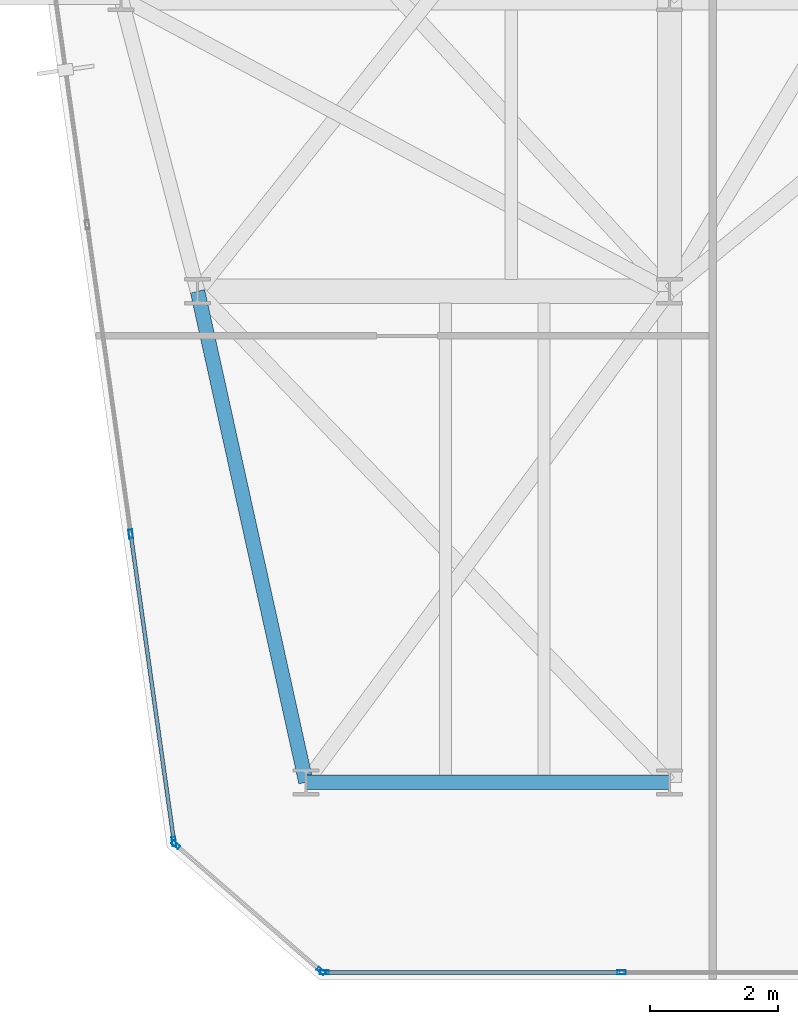
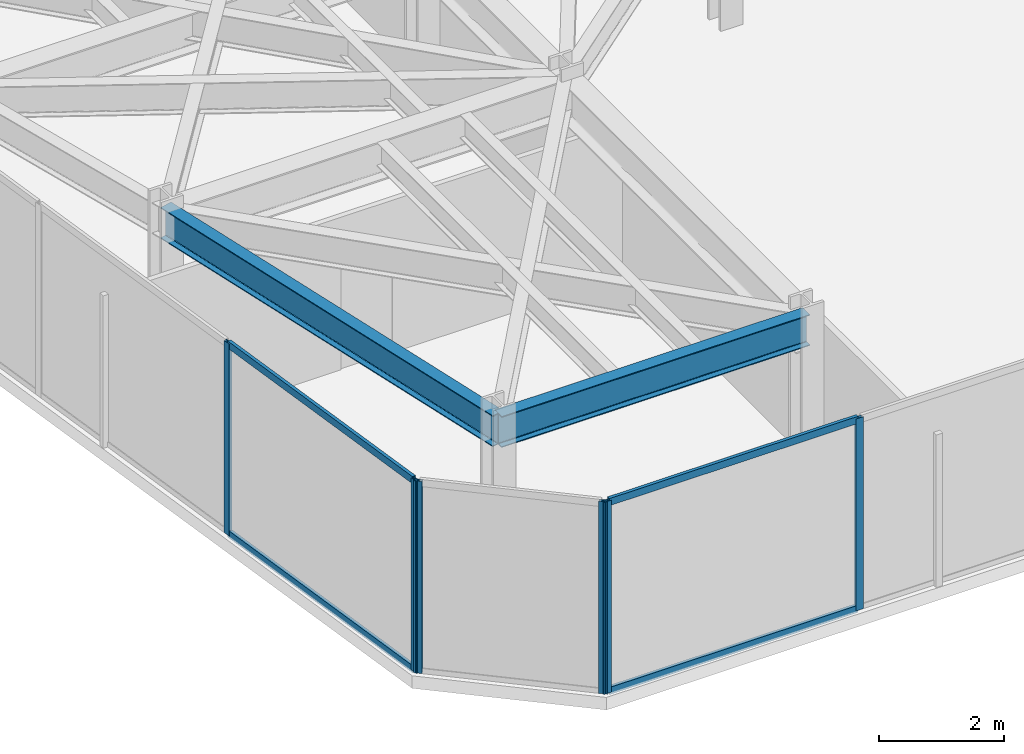
# One storey, part 2 of 26: 10 members, 2 beams, 3 elements without a shape of their own.
"""IFC4 building model written with IfcOpenShell, lengths in metres."""

from ifc_helpers import new_model, si_unit, direction, frame, origin, origin_2d, place, context, subcontext, project, spatial, hollow_rectangle, i_section, extrude, material, layer, layer_set, material_profile, profile_set, type_object, element, aggregate, save


model = new_model("IFC4")

# Units and contexts
model_context = context("Model", 3, precision=1e-05, world=origin(), true_north=direction((0.0, 1.0)))
body_context = subcontext(model_context, "Body", "Model", "MODEL_VIEW")
ifc_project = project(units=[si_unit("LENGTHUNIT", "METRE"), si_unit("AREAUNIT", "SQUARE_METRE"), si_unit("VOLUMEUNIT", "CUBIC_METRE"), si_unit("PLANEANGLEUNIT", "RADIAN"), si_unit("MASSUNIT", "GRAM", prefix="KILO")], contexts=[model_context])

# Site, building, storey
site_placement = place(None, origin())
site = spatial("IfcSite", under=ifc_project, at=site_placement, CompositionType="ELEMENT")
building_placement = place(site_placement, origin())
building = spatial("IfcBuilding", under=site, at=building_placement, Name="Kravanh Interchange Tower", CompositionType="ELEMENT")
storey_placement = place(building_placement, frame((0.0, 0.0, 172.5)))
storey = spatial("IfcBuildingStorey", under=building, at=storey_placement, Name="L41", CompositionType="ELEMENT", Elevation=172.5)

# Curtain wall, members
ifc_material_1 = material(Name="Anodised Bronze Aluminium", Category="aluminium")
ifc_layer = layer(ifc_material_1, 0.179931640625)
ifc_layer_set = layer_set([ifc_layer], Name="Unitised Curtain Wall System CW-Z3 Upper Office")
curtain_wall_type = type_object("IfcCurtainWallType", Name="Unitised Curtain Wall System CW-Z3 Upper Office", PredefinedType="NOTDEFINED", material=ifc_layer_set)
curtain_wall_1_placement = place(storey_placement, origin())
curtain_wall_1 = element("IfcCurtainWall", 1, at=curtain_wall_1_placement, inside=storey, type_object=curtain_wall_type, Name="L41 Unitised Curtain Wall CW-L41-01", PredefinedType="NOTDEFINED")
ifc_material_2 = material(Name="Anodised Bronze Aluminium", Category="aluminium")
ifc_material_profile_1 = material_profile(ifc_material_2, hollow_rectangle(XDim=0.06005859375, YDim=0.139892578125, WallThickness=0.00390625, at=origin_2d()), Name="ALU60X140X4")
ifc_profile_set_1 = profile_set([ifc_material_profile_1], Name="Anodised Bronze Aluminium")
member_type_1 = type_object("IfcMemberType", Name="Curtain Wall Mullion ALU60X140X4 Bronze", PredefinedType="MULLION", material=ifc_profile_set_1)
member_1_placement = place(storey_placement, frame((19.43017578125, 13.5703125, 0.0), z_axis=(0.0, 0.0, 1.0), x_axis=(-0.990268194035, -0.139172209446, 0.0)))
member_1 = element("IfcMember", 2, at=member_1_placement, type_object=member_type_1, Name="CW-Z3 mullion 1", PredefinedType="MULLION", context=body_context, shape_type="SweptSolid", body=[
    extrude(hollow_rectangle(XDim=0.06005859375, YDim=0.139892578125, WallThickness=0.00390625, at=origin_2d()), origin(), (0.0, 0.0, 1.0), 3.7548828125),
])
member_2_placement = place(storey_placement, frame((18.75244140625, 18.392578125, 0.0), z_axis=(0.0, 0.0, 1.0), x_axis=(-0.990268194035, -0.139172209446, 0.0)))
member_2 = element("IfcMember", 3, at=member_2_placement, type_object=member_type_1, Name="CW-Z3 mullion 2", PredefinedType="MULLION", context=body_context, shape_type="SweptSolid", body=[
    extrude(hollow_rectangle(XDim=0.06005859375, YDim=0.139892578125, WallThickness=0.00390625, at=origin_2d()), origin(), (0.0, 0.0, 1.0), 3.7548828125),
])

curtain_wall_2_placement = place(storey_placement, origin())
curtain_wall_2 = element("IfcCurtainWall", 4, at=curtain_wall_2_placement, inside=storey, type_object=curtain_wall_type, Name="L41 Unitised Curtain Wall CW-L41-06", PredefinedType="NOTDEFINED")
member_3_placement = place(storey_placement, frame((26.447998046875, 11.52001953125, 0.0), z_axis=(0.0, 0.0, 1.0), x_axis=(0.0, -1.0, 0.0)))
member_3 = element("IfcMember", 5, at=member_3_placement, type_object=member_type_1, Name="CW-Z3 mullion 2", PredefinedType="MULLION", context=body_context, shape_type="SweptSolid", body=[
    extrude(hollow_rectangle(XDim=0.06005859375, YDim=0.139892578125, WallThickness=0.00390625, at=origin_2d()), origin(), (0.0, 0.0, 1.0), 3.7548828125),
])
member_4_placement = place(storey_placement, frame((21.7890625, 11.52001953125, 0.0), z_axis=(0.0, 0.0, 1.0), x_axis=(0.0, -1.0, 0.0)))
member_4 = element("IfcMember", 6, at=member_4_placement, type_object=member_type_1, Name="CW-Z3 mullion 3", PredefinedType="MULLION", context=body_context, shape_type="SweptSolid", body=[
    extrude(hollow_rectangle(XDim=0.06005859375, YDim=0.139892578125, WallThickness=0.00390625, at=origin_2d()), origin(), (0.0, 0.0, 1.0), 3.7548828125),
])

curtain_wall_3_placement = place(storey_placement, origin())
curtain_wall_3 = element("IfcCurtainWall", 7, at=curtain_wall_3_placement, inside=storey, type_object=curtain_wall_type, Name="L41 Unitised Curtain Wall CW-L41-07", PredefinedType="NOTDEFINED")
member_5_placement = place(storey_placement, frame((21.736328125, 11.539794921875, 0.0), z_axis=(0.0, 0.0, 1.0), x_axis=(-0.65605090137, -0.754716645379, 0.0)))
member_5 = element("IfcMember", 8, at=member_5_placement, type_object=member_type_1, Name="CW-Z3 mullion 1", PredefinedType="MULLION", context=body_context, shape_type="SweptSolid", body=[
    extrude(hollow_rectangle(XDim=0.06005859375, YDim=0.139892578125, WallThickness=0.00390625, at=origin_2d()), origin(), (0.0, 0.0, 1.0), 3.7548828125),
])
member_6_placement = place(storey_placement, frame((19.45703125, 13.52099609375, 0.0), z_axis=(0.0, 0.0, 1.0), x_axis=(-0.65605090137, -0.754716645379, 0.0)))
member_6 = element("IfcMember", 9, at=member_6_placement, type_object=member_type_1, Name="CW-Z3 mullion 2", PredefinedType="MULLION", context=body_context, shape_type="SweptSolid", body=[
    extrude(hollow_rectangle(XDim=0.06005859375, YDim=0.139892578125, WallThickness=0.00390625, at=origin_2d()), origin(), (0.0, 0.0, 1.0), 3.7548828125),
])
aggregate(curtain_wall_3, [member_5, member_6])

# Member
ifc_material_3 = material(Name="Anodised Bronze Aluminium", Category="aluminium")
ifc_material_profile_2 = material_profile(ifc_material_3, hollow_rectangle(XDim=0.06005859375, YDim=0.139892578125, WallThickness=0.00390625, at=origin_2d()), Name="ALU60X140X4")
ifc_profile_set_2 = profile_set([ifc_material_profile_2], Name="Anodised Bronze Aluminium")
member_type_2 = type_object("IfcMemberType", Name="Curtain Wall Transom ALU60X140X4 Bronze", PredefinedType="USERDEFINED", material=ifc_profile_set_2)
member_7_placement = place(storey_placement, frame((19.426025390625, 13.60009765625, 0.030029296875), z_axis=(-0.139189497915, 0.990265764161, 0.0), x_axis=(-0.990265764161, -0.139189497915, 0.0)))
member_7 = element("IfcMember", 10, at=member_7_placement, type_object=member_type_2, Name="CW-Z3 transom 1.1", ObjectType="TRANSOM", PredefinedType="USERDEFINED", context=body_context, shape_type="SweptSolid", body=[
    extrude(hollow_rectangle(XDim=0.06005859375, YDim=0.139892578125, WallThickness=0.00390625, at=origin_2d()), origin(), (0.0, 0.0, 1.0), 4.8095703125),
])

member_8_placement = place(storey_placement, frame((19.426025390625, 13.60009765625, 3.72509765625), z_axis=(-0.139189497915, 0.990265764161, 0.0), x_axis=(-0.990265764161, -0.139189497915, 0.0)))
member_8 = element("IfcMember", 11, at=member_8_placement, type_object=member_type_2, Name="CW-Z3 transom 1.2", ObjectType="TRANSOM", PredefinedType="USERDEFINED", context=body_context, shape_type="SweptSolid", body=[
    extrude(hollow_rectangle(XDim=0.06005859375, YDim=0.139892578125, WallThickness=0.00390625, at=origin_2d()), origin(), (0.0, 0.0, 1.0), 4.8095703125),
])

aggregate(curtain_wall_1, [member_1, member_2, member_7, member_8])

member_9_placement = place(storey_placement, frame((26.41796875, 11.52001953125, 0.030029296875), z_axis=(-1.0, 0.0, 0.0), x_axis=(0.0, -1.0, 0.0)))
member_9 = element("IfcMember", 12, at=member_9_placement, type_object=member_type_2, Name="CW-Z3 transom 2.1", ObjectType="TRANSOM", PredefinedType="USERDEFINED", context=body_context, shape_type="SweptSolid", body=[
    extrude(hollow_rectangle(XDim=0.06005859375, YDim=0.139892578125, WallThickness=0.00390625, at=origin_2d()), origin(), (0.0, 0.0, 1.0), 4.598876953125),
])

member_10_placement = place(storey_placement, frame((26.41796875, 11.52001953125, 3.72509765625), z_axis=(-1.0, 0.0, 0.0), x_axis=(0.0, -1.0, 0.0)))
member_10 = element("IfcMember", 13, at=member_10_placement, type_object=member_type_2, Name="CW-Z3 transom 2.2", ObjectType="TRANSOM", PredefinedType="USERDEFINED", context=body_context, shape_type="SweptSolid", body=[
    extrude(hollow_rectangle(XDim=0.06005859375, YDim=0.139892578125, WallThickness=0.00390625, at=origin_2d()), origin(), (0.0, 0.0, 1.0), 4.598876953125),
])

aggregate(curtain_wall_2, [member_3, member_4, member_9, member_10])

# Beams
ifc_material_4 = material(Name="Structural Steel S355", Category="steel")
ifc_material_profile_3 = material_profile(ifc_material_4, i_section(OverallWidth=0.22802734375, OverallDepth=0.60791015625, WebThickness=0.01123046875, FlangeThickness=0.017333984375, FilletRadius=0.02197265625, at=origin_2d()), Name="W24X76")
ifc_profile_set_3 = profile_set([ifc_material_profile_3], Name="Structural Steel S355")
beam_type = type_object("IfcBeamType", Name="Floor Spandrel W24X76 Structural Steel S355", PredefinedType="SPANDREL", material=ifc_profile_set_3)
beam_1_placement = place(storey_placement, frame((21.5, 14.5, 3.450927734375), z_axis=(1.0, 0.0, 0.0), x_axis=(0.0, 1.0, 0.0)))
element("IfcBeam", 14, at=beam_1_placement, inside=storey, type_object=beam_type, Name="L41 Perimeter Spandrel 30", PredefinedType="SPANDREL", context=body_context, shape_type="SweptSolid", body=[
    extrude(i_section(OverallWidth=0.22802734375, OverallDepth=0.60791015625, WebThickness=0.01123046875, FlangeThickness=0.017333984375, FilletRadius=0.02197265625, at=origin_2d()), origin(), (0.0, 0.0, 1.0), 5.699951171875),
])
beam_2_placement = place(storey_placement, frame((21.5, 14.5, 3.450927734375), z_axis=(-0.215582892261, 0.976485543449, 0.0), x_axis=(-0.976485543449, -0.215582892261, 0.0)))
element("IfcBeam", 15, at=beam_2_placement, inside=storey, type_object=beam_type, Name="L41 Perimeter Spandrel 31", PredefinedType="SPANDREL", context=body_context, shape_type="SweptSolid", body=[
    extrude(i_section(OverallWidth=0.22802734375, OverallDepth=0.60791015625, WebThickness=0.01123046875, FlangeThickness=0.017333984375, FilletRadius=0.02197265625, at=origin_2d()), origin(), (0.0, 0.0, 1.0), 7.88525390625),
])

save(model, "model.ifc")
